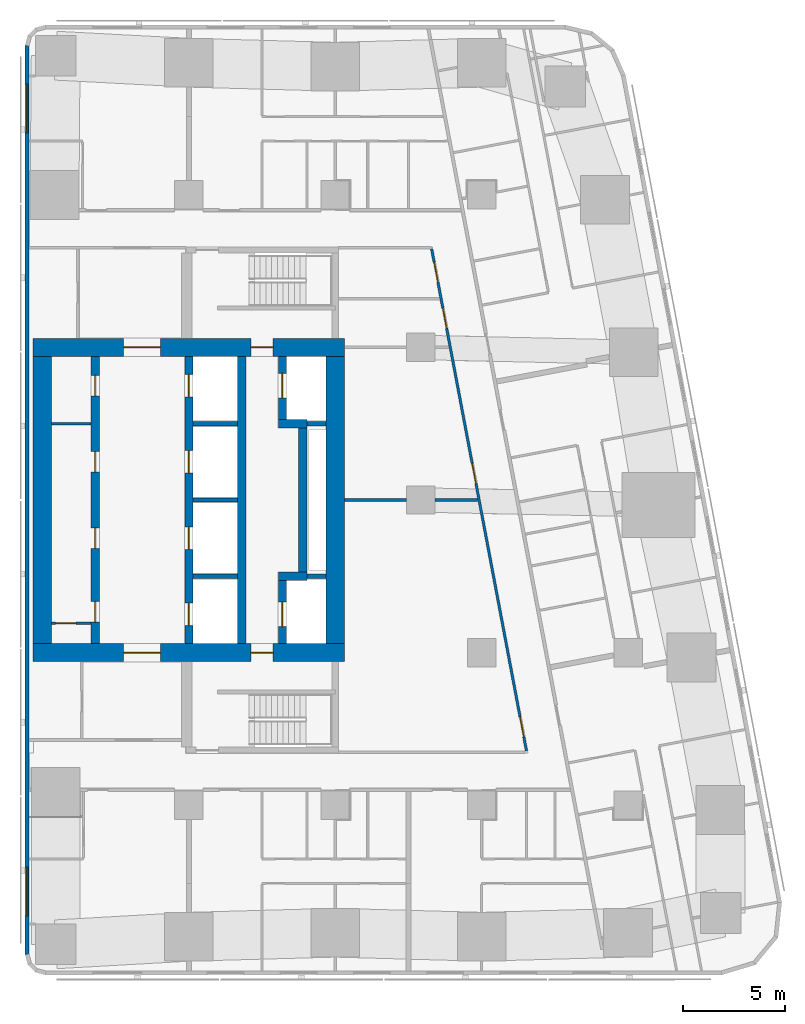
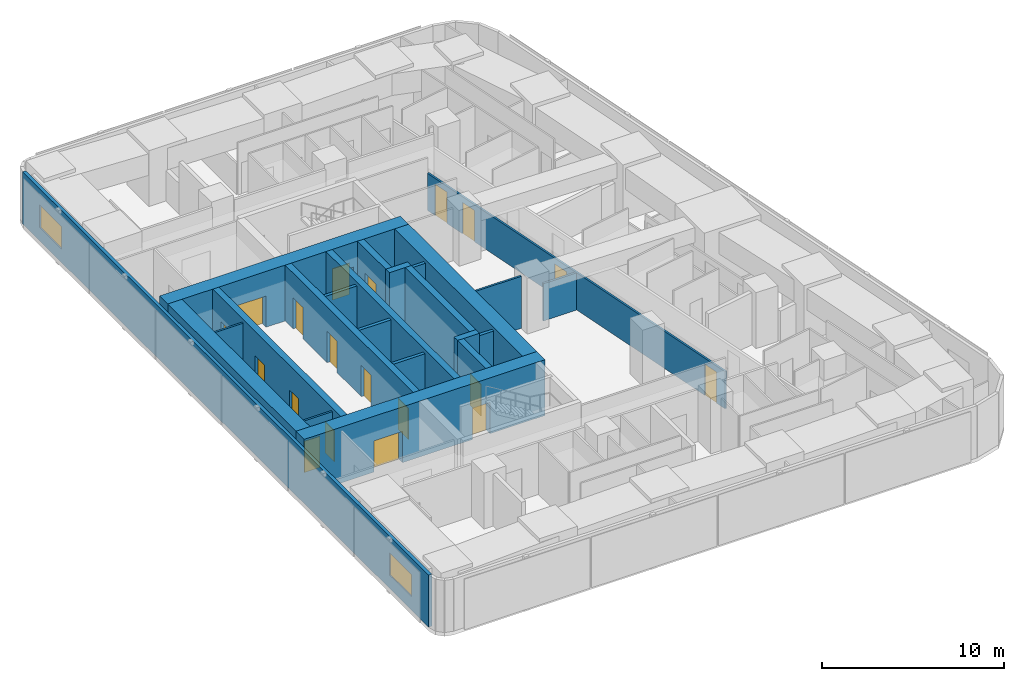
# One storey, part 4 of 10: 23 walls, 19 doors, 2 windows, 21 openings.
"""IFC4 building model written with IfcOpenShell, lengths in metres."""

from ifc_helpers import new_model, si_unit, direction, frame, frame_2d, origin, place, context, subcontext, project, spatial, rectangle, extrude, material, layer, layer_set, type_object, element, fill, save


model = new_model("IFC4")

# Units and contexts
model_context = context("Model", 3, precision=1e-05, world=origin(), true_north=direction((0.0, 1.0)))
body_context = subcontext(model_context, "Body", "Model", "MODEL_VIEW")
ifc_project = project(units=[si_unit("LENGTHUNIT", "METRE"), si_unit("AREAUNIT", "SQUARE_METRE"), si_unit("VOLUMEUNIT", "CUBIC_METRE"), si_unit("PLANEANGLEUNIT", "RADIAN"), si_unit("MASSUNIT", "GRAM", prefix="KILO")], contexts=[model_context])

# Site, building, storey
site_placement = place(None, origin())
site = spatial("IfcSite", under=ifc_project, at=site_placement, CompositionType="ELEMENT")
building_placement = place(site_placement, origin())
building = spatial("IfcBuilding", under=site, at=building_placement, Name="Sheger Commons Tower", CompositionType="ELEMENT")
storey_placement = place(building_placement, frame((0.0, 0.0, 238.699951171875)))
storey = spatial("IfcBuildingStorey", under=building, at=storey_placement, Name="L61", CompositionType="ELEMENT", Elevation=238.699951171875)

# Wall, openings, doors
ifc_material_1 = material(Name="Concrete C50/60", Category="concrete")
ifc_layer_1 = layer(ifc_material_1, 0.39990234375)
ifc_layer_set_1 = layer_set([ifc_layer_1], Name="CORE INNER WALL 400")
wall_type_1 = type_object("IfcWallType", Name="CORE INNER WALL 400", PredefinedType="SHEAR", material=ifc_layer_set_1)
wall_1_placement = place(storey_placement, frame((17.0, 15.449951171875, 0.0), z_axis=(0.0, 0.0, 1.0), x_axis=(0.0, 1.0, 0.0)))
wall_1 = element("IfcWall", 1, at=wall_1_placement, inside=storey, type_object=wall_type_1, Name="Core inner wall A L61", PredefinedType="SHEAR", context=body_context, shape_type="SweptSolid", body=[
    extrude(rectangle(XDim=14.10009765625, YDim=0.39990234375, at=frame_2d((7.050048828125, 0.0))), origin(), (0.0, 0.0, 1.0), 3.75),
])
opening_1_placement = place(wall_1_placement, frame((1.050048828125, 0.0, 0.0)))
opening_1 = element("IfcOpeningElement", 2, at=opening_1_placement, cuts=wall_1, Name="Opening D4", PredefinedType="OPENING", context=body_context, shape_type="SweptSolid", body=[
    extrude(rectangle(XDim=1.0, YDim=2.10009765625, at=frame_2d((0.5, 1.050048828125))), frame((0.0, 0.2099609375, 0.0), z_axis=(0.0, -1.0, 0.0), x_axis=(1.0, 0.0, 0.0)), (0.0, 0.0, 1.0), 0.419921875),
])
opening_2_placement = place(wall_1_placement, frame((4.675048828125, 0.0, 0.0)))
opening_2 = element("IfcOpeningElement", 3, at=opening_2_placement, cuts=wall_1, Name="Opening D4", PredefinedType="OPENING", context=body_context, shape_type="SweptSolid", body=[
    extrude(rectangle(XDim=1.0, YDim=2.10009765625, at=frame_2d((0.5, 1.050048828125))), frame((0.0, 0.2099609375, 0.0), z_axis=(0.0, -1.0, 0.0), x_axis=(1.0, 0.0, 0.0)), (0.0, 0.0, 1.0), 0.419921875),
])
opening_3_placement = place(wall_1_placement, frame((8.425048828125, 0.0, 0.0)))
opening_3 = element("IfcOpeningElement", 4, at=opening_3_placement, cuts=wall_1, Name="Opening D4", PredefinedType="OPENING", context=body_context, shape_type="SweptSolid", body=[
    extrude(rectangle(XDim=1.0, YDim=2.10009765625, at=frame_2d((0.5, 1.050048828125))), frame((0.0, 0.2099609375, 0.0), z_axis=(0.0, -1.0, 0.0), x_axis=(1.0, 0.0, 0.0)), (0.0, 0.0, 1.0), 0.419921875),
])
opening_4_placement = place(wall_1_placement, frame((12.175048828125, 0.0, 0.0)))
opening_4 = element("IfcOpeningElement", 5, at=opening_4_placement, cuts=wall_1, Name="Opening D4", PredefinedType="OPENING", context=body_context, shape_type="SweptSolid", body=[
    extrude(rectangle(XDim=1.0, YDim=2.10009765625, at=frame_2d((0.5, 1.050048828125))), frame((0.0, 0.2099609375, 0.0), z_axis=(0.0, -1.0, 0.0), x_axis=(1.0, 0.0, 0.0)), (0.0, 0.0, 1.0), 0.419921875),
])
ifc_material_2 = material(Name="Steel door set, fire rated", Category="steel")
door_type_1 = type_object("IfcDoorType", Name="SERVICE DOOR 1000x2100", OperationType="NOTDEFINED", PredefinedType="DOOR", material=ifc_material_2)
door_1_placement = place(opening_1_placement, origin())
door_1 = element("IfcDoor", 6, at=door_1_placement, inside=storey, type_object=door_type_1, Name="Maintenance store door", OperationType="SINGLE_SWING_LEFT", OverallHeight=2.10009765625, OverallWidth=1.0, PredefinedType="DOOR", context=body_context, shape_type="SweptSolid", body=[
    extrude(rectangle(XDim=1.0, YDim=2.10009765625, at=frame_2d((0.5, 1.050048828125))), frame((0.0, 0.02490234375, 0.0), z_axis=(0.0, -1.0, 0.0), x_axis=(1.0, 0.0, 0.0)), (0.0, 0.0, 1.0), 0.050048828125),
])
fill(opening_1, door_1)
door_2_placement = place(opening_2_placement, origin())
door_2 = element("IfcDoor", 7, at=door_2_placement, inside=storey, type_object=door_type_1, Name="Maintenance store door", OperationType="SINGLE_SWING_LEFT", OverallHeight=2.10009765625, OverallWidth=1.0, PredefinedType="DOOR", context=body_context, shape_type="SweptSolid", body=[
    extrude(rectangle(XDim=1.0, YDim=2.10009765625, at=frame_2d((0.5, 1.050048828125))), frame((0.0, 0.02490234375, 0.0), z_axis=(0.0, -1.0, 0.0), x_axis=(1.0, 0.0, 0.0)), (0.0, 0.0, 1.0), 0.050048828125),
])
fill(opening_2, door_2)
door_3_placement = place(opening_3_placement, origin())
door_3 = element("IfcDoor", 8, at=door_3_placement, inside=storey, type_object=door_type_1, Name="Maintenance store door", OperationType="SINGLE_SWING_RIGHT", OverallHeight=2.10009765625, OverallWidth=1.0, PredefinedType="DOOR", context=body_context, shape_type="SweptSolid", body=[
    extrude(rectangle(XDim=1.0, YDim=2.10009765625, at=frame_2d((0.5, 1.050048828125))), frame((0.0, 0.02490234375, 0.0), z_axis=(0.0, -1.0, 0.0), x_axis=(1.0, 0.0, 0.0)), (0.0, 0.0, 1.0), 0.050048828125),
])
fill(opening_3, door_3)
door_4_placement = place(opening_4_placement, origin())
door_4 = element("IfcDoor", 9, at=door_4_placement, inside=storey, type_object=door_type_1, Name="Staff WC door", OperationType="SINGLE_SWING_RIGHT", OverallHeight=2.10009765625, OverallWidth=1.0, PredefinedType="DOOR", context=body_context, shape_type="SweptSolid", body=[
    extrude(rectangle(XDim=1.0, YDim=2.10009765625, at=frame_2d((0.5, 1.050048828125))), frame((0.0, 0.02490234375, 0.0), z_axis=(0.0, -1.0, 0.0), x_axis=(1.0, 0.0, 0.0)), (0.0, 0.0, 1.0), 0.050048828125),
])
fill(opening_4, door_4)

wall_2_placement = place(storey_placement, frame((21.60009765625, 15.449951171875, 0.0), z_axis=(0.0, 0.0, 1.0), x_axis=(0.0, 1.0, 0.0)))
wall_2 = element("IfcWall", 10, at=wall_2_placement, inside=storey, type_object=wall_type_1, Name="Core inner wall L L61", PredefinedType="SHEAR", context=body_context, shape_type="SweptSolid", body=[
    extrude(rectangle(XDim=14.10009765625, YDim=0.39990234375, at=frame_2d((7.050048828125, 0.0))), origin(), (0.0, 0.0, 1.0), 3.75),
])
opening_5_placement = place(wall_2_placement, frame((0.875, 0.0, 0.0)))
opening_5 = element("IfcOpeningElement", 11, at=opening_5_placement, cuts=wall_2, Name="Opening LD", PredefinedType="OPENING", context=body_context, shape_type="SweptSolid", body=[
    extrude(rectangle(XDim=1.10009765625, YDim=2.10009765625, at=frame_2d((0.550048828125, 1.050048828125))), frame((0.0, 0.2099609375, 0.0), z_axis=(0.0, -1.0, 0.0), x_axis=(1.0, 0.0, 0.0)), (0.0, 0.0, 1.0), 0.419921875),
])
opening_6_placement = place(wall_2_placement, frame((4.625, 0.0, 0.0)))
opening_6 = element("IfcOpeningElement", 12, at=opening_6_placement, cuts=wall_2, Name="Opening LD", PredefinedType="OPENING", context=body_context, shape_type="SweptSolid", body=[
    extrude(rectangle(XDim=1.10009765625, YDim=2.10009765625, at=frame_2d((0.550048828125, 1.050048828125))), frame((0.0, 0.2099609375, 0.0), z_axis=(0.0, -1.0, 0.0), x_axis=(1.0, 0.0, 0.0)), (0.0, 0.0, 1.0), 0.419921875),
])
opening_7_placement = place(wall_2_placement, frame((8.375, 0.0, 0.0)))
opening_7 = element("IfcOpeningElement", 13, at=opening_7_placement, cuts=wall_2, Name="Opening LD", PredefinedType="OPENING", context=body_context, shape_type="SweptSolid", body=[
    extrude(rectangle(XDim=1.10009765625, YDim=2.10009765625, at=frame_2d((0.550048828125, 1.050048828125))), frame((0.0, 0.2099609375, 0.0), z_axis=(0.0, -1.0, 0.0), x_axis=(1.0, 0.0, 0.0)), (0.0, 0.0, 1.0), 0.419921875),
])
opening_8_placement = place(wall_2_placement, frame((12.125, 0.0, 0.0)))
opening_8 = element("IfcOpeningElement", 14, at=opening_8_placement, cuts=wall_2, Name="Opening LD", PredefinedType="OPENING", context=body_context, shape_type="SweptSolid", body=[
    extrude(rectangle(XDim=1.10009765625, YDim=2.10009765625, at=frame_2d((0.550048828125, 1.050048828125))), frame((0.0, 0.2099609375, 0.0), z_axis=(0.0, -1.0, 0.0), x_axis=(1.0, 0.0, 0.0)), (0.0, 0.0, 1.0), 0.419921875),
])
ifc_material_3 = material(Name="Steel door set, fire rated", Category="steel")
door_type_2 = type_object("IfcDoorType", Name="LIFT LANDING DOOR 1100x2100", OperationType="DOUBLE_DOOR_SLIDING", PredefinedType="DOOR", material=ifc_material_3)
door_5_placement = place(opening_5_placement, origin())
door_5 = element("IfcDoor", 15, at=door_5_placement, inside=storey, type_object=door_type_2, Name="Lift LB1 landing door", OperationType="DOUBLE_DOOR_SLIDING", OverallHeight=2.10009765625, OverallWidth=1.10009765625, PredefinedType="DOOR", context=body_context, shape_type="SweptSolid", body=[
    extrude(rectangle(XDim=1.10009765625, YDim=2.10009765625, at=frame_2d((0.550048828125, 1.050048828125))), frame((0.0, 0.02490234375, 0.0), z_axis=(0.0, -1.0, 0.0), x_axis=(1.0, 0.0, 0.0)), (0.0, 0.0, 1.0), 0.050048828125),
])
fill(opening_5, door_5)
door_6_placement = place(opening_6_placement, origin())
door_6 = element("IfcDoor", 16, at=door_6_placement, inside=storey, type_object=door_type_2, Name="Lift LB2 landing door", OperationType="DOUBLE_DOOR_SLIDING", OverallHeight=2.10009765625, OverallWidth=1.10009765625, PredefinedType="DOOR", context=body_context, shape_type="SweptSolid", body=[
    extrude(rectangle(XDim=1.10009765625, YDim=2.10009765625, at=frame_2d((0.550048828125, 1.050048828125))), frame((0.0, 0.02490234375, 0.0), z_axis=(0.0, -1.0, 0.0), x_axis=(1.0, 0.0, 0.0)), (0.0, 0.0, 1.0), 0.050048828125),
])
fill(opening_6, door_6)
door_7_placement = place(opening_7_placement, origin())
door_7 = element("IfcDoor", 17, at=door_7_placement, inside=storey, type_object=door_type_2, Name="Lift LB3 landing door", OperationType="DOUBLE_DOOR_SLIDING", OverallHeight=2.10009765625, OverallWidth=1.10009765625, PredefinedType="DOOR", context=body_context, shape_type="SweptSolid", body=[
    extrude(rectangle(XDim=1.10009765625, YDim=2.10009765625, at=frame_2d((0.550048828125, 1.050048828125))), frame((0.0, 0.02490234375, 0.0), z_axis=(0.0, -1.0, 0.0), x_axis=(1.0, 0.0, 0.0)), (0.0, 0.0, 1.0), 0.050048828125),
])
fill(opening_7, door_7)
door_8_placement = place(opening_8_placement, origin())
door_8 = element("IfcDoor", 18, at=door_8_placement, inside=storey, type_object=door_type_2, Name="Lift LB4 landing door", OperationType="DOUBLE_DOOR_SLIDING", OverallHeight=2.10009765625, OverallWidth=1.10009765625, PredefinedType="DOOR", context=body_context, shape_type="SweptSolid", body=[
    extrude(rectangle(XDim=1.10009765625, YDim=2.10009765625, at=frame_2d((0.550048828125, 1.050048828125))), frame((0.0, 0.02490234375, 0.0), z_axis=(0.0, -1.0, 0.0), x_axis=(1.0, 0.0, 0.0)), (0.0, 0.0, 1.0), 0.050048828125),
])
fill(opening_8, door_8)

# Wall
wall_3_placement = place(storey_placement, frame((24.199951171875, 15.449951171875, 0.0), z_axis=(0.0, 0.0, 1.0), x_axis=(0.0, 1.0, 0.0)))
element("IfcWall", 19, at=wall_3_placement, inside=storey, type_object=wall_type_1, Name="Core inner wall B L61", PredefinedType="SHEAR", context=body_context, shape_type="SweptSolid", body=[
    extrude(rectangle(XDim=14.10009765625, YDim=0.39990234375, at=frame_2d((7.050048828125, 0.0))), origin(), (0.0, 0.0, 1.0), 3.75),
])

# Wall, opening, door
wall_4_placement = place(storey_placement, frame((26.199951171875, 15.449951171875, 0.0), z_axis=(0.0, 0.0, 1.0), x_axis=(0.0, 1.0, 0.0)))
wall_4 = element("IfcWall", 20, at=wall_4_placement, inside=storey, type_object=wall_type_1, Name="Core inner wall F L61", PredefinedType="SHEAR", context=body_context, shape_type="SweptSolid", body=[
    extrude(rectangle(XDim=3.10009765625, YDim=0.39990234375, at=frame_2d((1.550048828125, 0.0))), origin(), (0.0, 0.0, 1.0), 3.75),
])
opening_9_placement = place(wall_4_placement, frame((0.824951171875, 0.0, 0.0)))
opening_9 = element("IfcOpeningElement", 21, at=opening_9_placement, cuts=wall_4, Name="Opening LD2", PredefinedType="OPENING", context=body_context, shape_type="SweptSolid", body=[
    extrude(rectangle(XDim=1.199951171875, YDim=2.10009765625, at=frame_2d((0.60009765625, 1.050048828125))), frame((0.0, 0.2099609375, 0.0), z_axis=(0.0, -1.0, 0.0), x_axis=(1.0, 0.0, 0.0)), (0.0, 0.0, 1.0), 0.419921875),
])
ifc_material_4 = material(Name="Steel door set, fire rated", Category="steel")
door_type_3 = type_object("IfcDoorType", Name="FIREFIGHTING LIFT LANDING DOOR 1200x2100", OperationType="DOUBLE_DOOR_SLIDING", PredefinedType="DOOR", material=ifc_material_4)
door_9_placement = place(opening_9_placement, origin())
door_9 = element("IfcDoor", 22, at=door_9_placement, inside=storey, type_object=door_type_3, Name="Lift FL1 landing door", OperationType="DOUBLE_DOOR_SLIDING", OverallHeight=2.10009765625, OverallWidth=1.199951171875, PredefinedType="DOOR", context=body_context, shape_type="SweptSolid", body=[
    extrude(rectangle(XDim=1.199951171875, YDim=2.10009765625, at=frame_2d((0.60009765625, 1.050048828125))), frame((0.0, 0.02490234375, 0.0), z_axis=(0.0, -1.0, 0.0), x_axis=(1.0, 0.0, 0.0)), (0.0, 0.0, 1.0), 0.050048828125),
])
fill(opening_9, door_9)

# Walls
wall_5_placement = place(storey_placement, frame((26.0, 18.75, 0.0), z_axis=(0.0, 0.0, 1.0), x_axis=(1.0, 0.0, 0.0)))
element("IfcWall", 23, at=wall_5_placement, inside=storey, type_object=wall_type_1, Name="Core inner wall F south return L61", PredefinedType="SHEAR", context=body_context, shape_type="SweptSolid", body=[
    extrude(rectangle(XDim=1.39990234375, YDim=0.39990234375, at=frame_2d((0.699951171875, 0.0))), origin(), (0.0, 0.0, 1.0), 3.75),
])
wall_6_placement = place(storey_placement, frame((27.199951171875, 18.949951171875, 0.0), z_axis=(0.0, 0.0, 1.0), x_axis=(0.0, 1.0, 0.0)))
element("IfcWall", 24, at=wall_6_placement, inside=storey, type_object=wall_type_1, Name="Core inner wall F middle L61", PredefinedType="SHEAR", context=body_context, shape_type="SweptSolid", body=[
    extrude(rectangle(XDim=7.10009765625, YDim=0.39990234375, at=frame_2d((3.550048828125, 0.0))), origin(), (0.0, 0.0, 1.0), 3.75),
])
wall_7_placement = place(storey_placement, frame((26.0, 26.25, 0.0), z_axis=(0.0, 0.0, 1.0), x_axis=(1.0, 0.0, 0.0)))
element("IfcWall", 25, at=wall_7_placement, inside=storey, type_object=wall_type_1, Name="Core inner wall F north return L61", PredefinedType="SHEAR", context=body_context, shape_type="SweptSolid", body=[
    extrude(rectangle(XDim=1.39990234375, YDim=0.39990234375, at=frame_2d((0.699951171875, 0.0))), origin(), (0.0, 0.0, 1.0), 3.75),
])

# Wall, opening, door
wall_8_placement = place(storey_placement, frame((26.199951171875, 26.449951171875, 0.0), z_axis=(0.0, 0.0, 1.0), x_axis=(0.0, 1.0, 0.0)))
wall_8 = element("IfcWall", 26, at=wall_8_placement, inside=storey, type_object=wall_type_1, Name="Core inner wall F north L61", PredefinedType="SHEAR", context=body_context, shape_type="SweptSolid", body=[
    extrude(rectangle(XDim=3.10009765625, YDim=0.39990234375, at=frame_2d((1.550048828125, 0.0))), origin(), (0.0, 0.0, 1.0), 3.75),
])
opening_10_placement = place(wall_8_placement, frame((1.074951171875, 0.0, 0.0)))
opening_10 = element("IfcOpeningElement", 27, at=opening_10_placement, cuts=wall_8, Name="Opening LD2", PredefinedType="OPENING", context=body_context, shape_type="SweptSolid", body=[
    extrude(rectangle(XDim=1.199951171875, YDim=2.10009765625, at=frame_2d((0.60009765625, 1.050048828125))), frame((0.0, 0.2099609375, 0.0), z_axis=(0.0, -1.0, 0.0), x_axis=(1.0, 0.0, 0.0)), (0.0, 0.0, 1.0), 0.419921875),
])
door_10_placement = place(opening_10_placement, origin())
door_10 = element("IfcDoor", 28, at=door_10_placement, inside=storey, type_object=door_type_3, Name="Lift FL2 landing door", OperationType="DOUBLE_DOOR_SLIDING", OverallHeight=2.10009765625, OverallWidth=1.199951171875, PredefinedType="DOOR", context=body_context, shape_type="SweptSolid", body=[
    extrude(rectangle(XDim=1.199951171875, YDim=2.10009765625, at=frame_2d((0.60009765625, 1.050048828125))), frame((0.0, 0.02490234375, 0.0), z_axis=(0.0, -1.0, 0.0), x_axis=(1.0, 0.0, 0.0)), (0.0, 0.0, 1.0), 0.050048828125),
])
fill(opening_10, door_10)

# Wall, openings, doors
ifc_material_5 = material(Name="Concrete C50/60", Category="concrete")
ifc_layer_2 = layer(ifc_material_5, 0.89990234375)
ifc_layer_set_2 = layer_set([ifc_layer_2], Name="CORE WALL 900")
wall_type_2 = type_object("IfcWallType", Name="CORE WALL 900", PredefinedType="SHEAR", material=ifc_layer_set_2)
wall_9_placement = place(storey_placement, frame((13.949951171875, 15.0, 0.0), z_axis=(0.0, 0.0, 1.0), x_axis=(1.0, 0.0, 0.0)))
wall_9 = element("IfcWall", 29, at=wall_9_placement, inside=storey, type_object=wall_type_2, Name="Core wall south L61", PredefinedType="SHEAR", context=body_context, shape_type="SweptSolid", body=[
    extrude(rectangle(XDim=15.300048828125, YDim=0.89990234375, at=frame_2d((7.64990234375, 0.0))), origin(), (0.0, 0.0, 1.0), 3.75),
])
opening_11_placement = place(wall_9_placement, frame((4.449951171875, 0.0, 0.0)))
opening_11 = element("IfcOpeningElement", 30, at=opening_11_placement, cuts=wall_9, Name="Opening D6", PredefinedType="OPENING", context=body_context, shape_type="SweptSolid", body=[
    extrude(rectangle(XDim=1.800048828125, YDim=2.10009765625, at=frame_2d((0.89990234375, 1.050048828125))), frame((0.0, 0.4599609375, 0.0), z_axis=(0.0, -1.0, 0.0), x_axis=(1.0, 0.0, 0.0)), (0.0, 0.0, 1.0), 0.919921875),
])
opening_12_placement = place(wall_9_placement, frame((10.699951171875, 0.0, 0.0)))
opening_12 = element("IfcOpeningElement", 31, at=opening_12_placement, cuts=wall_9, Name="Opening D5", PredefinedType="OPENING", context=body_context, shape_type="SweptSolid", body=[
    extrude(rectangle(XDim=1.10009765625, YDim=2.10009765625, at=frame_2d((0.550048828125, 1.050048828125))), frame((0.0, 0.4599609375, 0.0), z_axis=(0.0, -1.0, 0.0), x_axis=(1.0, 0.0, 0.0)), (0.0, 0.0, 1.0), 0.919921875),
])
ifc_material_6 = material(Name="Steel door set, fire rated", Category="steel")
door_type_4 = type_object("IfcDoorType", Name="LOBBY DOUBLE DOOR 1800x2100", OperationType="DOUBLE_DOOR_SINGLE_SWING", PredefinedType="DOOR", material=ifc_material_6)
door_11_placement = place(opening_11_placement, origin())
door_11 = element("IfcDoor", 32, at=door_11_placement, inside=storey, type_object=door_type_4, Name="Lift lobby door", OperationType="DOUBLE_DOOR_SINGLE_SWING", OverallHeight=2.10009765625, OverallWidth=1.800048828125, PredefinedType="DOOR", context=body_context, shape_type="SweptSolid", body=[
    extrude(rectangle(XDim=1.800048828125, YDim=2.10009765625, at=frame_2d((0.89990234375, 1.050048828125))), frame((0.0, 0.02490234375, 0.0), z_axis=(0.0, -1.0, 0.0), x_axis=(1.0, 0.0, 0.0)), (0.0, 0.0, 1.0), 0.050048828125),
])
fill(opening_11, door_11)
ifc_material_7 = material(Name="Steel door set, fire rated", Category="steel")
door_type_5 = type_object("IfcDoorType", Name="STAIR DOOR 1100x2100", OperationType="NOTDEFINED", PredefinedType="DOOR", material=ifc_material_7)
door_12_placement = place(opening_12_placement, origin())
door_12 = element("IfcDoor", 33, at=door_12_placement, inside=storey, type_object=door_type_5, Name="Fire-fighting lobby door", OperationType="SINGLE_SWING_LEFT", OverallHeight=2.10009765625, OverallWidth=1.10009765625, PredefinedType="DOOR", context=body_context, shape_type="SweptSolid", body=[
    extrude(rectangle(XDim=1.10009765625, YDim=2.10009765625, at=frame_2d((0.550048828125, 1.050048828125))), frame((0.0, 0.02490234375, 0.0), z_axis=(0.0, -1.0, 0.0), x_axis=(1.0, 0.0, 0.0)), (0.0, 0.0, 1.0), 0.050048828125),
])
fill(opening_12, door_12)

wall_10_placement = place(storey_placement, frame((13.949951171875, 30.0, 0.0), z_axis=(0.0, 0.0, 1.0), x_axis=(1.0, 0.0, 0.0)))
wall_10 = element("IfcWall", 34, at=wall_10_placement, inside=storey, type_object=wall_type_2, Name="Core wall north L61", PredefinedType="SHEAR", context=body_context, shape_type="SweptSolid", body=[
    extrude(rectangle(XDim=15.300048828125, YDim=0.89990234375, at=frame_2d((7.64990234375, 0.0))), origin(), (0.0, 0.0, 1.0), 3.75),
])
opening_13_placement = place(wall_10_placement, frame((4.449951171875, 0.0, 0.0)))
opening_13 = element("IfcOpeningElement", 35, at=opening_13_placement, cuts=wall_10, Name="Opening D6", PredefinedType="OPENING", context=body_context, shape_type="SweptSolid", body=[
    extrude(rectangle(XDim=1.800048828125, YDim=2.10009765625, at=frame_2d((0.89990234375, 1.050048828125))), frame((0.0, 0.4599609375, 0.0), z_axis=(0.0, -1.0, 0.0), x_axis=(1.0, 0.0, 0.0)), (0.0, 0.0, 1.0), 0.919921875),
])
opening_14_placement = place(wall_10_placement, frame((10.699951171875, 0.0, 0.0)))
opening_14 = element("IfcOpeningElement", 36, at=opening_14_placement, cuts=wall_10, Name="Opening D5", PredefinedType="OPENING", context=body_context, shape_type="SweptSolid", body=[
    extrude(rectangle(XDim=1.10009765625, YDim=2.10009765625, at=frame_2d((0.550048828125, 1.050048828125))), frame((0.0, 0.4599609375, 0.0), z_axis=(0.0, -1.0, 0.0), x_axis=(1.0, 0.0, 0.0)), (0.0, 0.0, 1.0), 0.919921875),
])
door_13_placement = place(opening_13_placement, origin())
door_13 = element("IfcDoor", 37, at=door_13_placement, inside=storey, type_object=door_type_4, Name="Lift lobby door", OperationType="DOUBLE_DOOR_SINGLE_SWING", OverallHeight=2.10009765625, OverallWidth=1.800048828125, PredefinedType="DOOR", context=body_context, shape_type="SweptSolid", body=[
    extrude(rectangle(XDim=1.800048828125, YDim=2.10009765625, at=frame_2d((0.89990234375, 1.050048828125))), frame((0.0, 0.02490234375, 0.0), z_axis=(0.0, -1.0, 0.0), x_axis=(1.0, 0.0, 0.0)), (0.0, 0.0, 1.0), 0.050048828125),
])
fill(opening_13, door_13)
door_14_placement = place(opening_14_placement, origin())
door_14 = element("IfcDoor", 38, at=door_14_placement, inside=storey, type_object=door_type_5, Name="Fire-fighting lobby door", OperationType="SINGLE_SWING_LEFT", OverallHeight=2.10009765625, OverallWidth=1.10009765625, PredefinedType="DOOR", context=body_context, shape_type="SweptSolid", body=[
    extrude(rectangle(XDim=1.10009765625, YDim=2.10009765625, at=frame_2d((0.550048828125, 1.050048828125))), frame((0.0, 0.02490234375, 0.0), z_axis=(0.0, -1.0, 0.0), x_axis=(1.0, 0.0, 0.0)), (0.0, 0.0, 1.0), 0.050048828125),
])
fill(opening_14, door_14)

# Walls
for number, where, z_axis, x_axis, name in (
    (39, (14.39990234375, 15.449951171875, 0.0), (0.0, 0.0, 1.0), (0.0, 1.0, 0.0), "Core wall west L61"),
    (40, (28.800048828125, 15.449951171875, 0.0), (0.0, 0.0, 1.0), (0.0, 1.0, 0.0), "Core wall east L61"),
):
    element("IfcWall", number, at=place(storey_placement, frame(where, z_axis=z_axis, x_axis=x_axis)), inside=storey, type_object=wall_type_2, Name=name, PredefinedType="SHEAR", context=body_context, shape_type="SweptSolid", body=[
        extrude(rectangle(XDim=14.10009765625, YDim=0.89990234375, at=frame_2d((7.050048828125, 0.0))), origin(), (0.0, 0.0, 1.0), 3.75),
    ])

# Wall, openings, windows
ifc_material_8 = material(Name="Rendered concrete block masonry, dark grey", Category="masonry")
ifc_layer_3 = layer(ifc_material_8, 0.199951171875)
ifc_layer_set_3 = layer_set([ifc_layer_3], Name="FACADE WALL 200")
wall_type_3 = type_object("IfcWallType", Name="FACADE WALL 200", PredefinedType="SOLIDWALL", material=ifc_layer_set_3)
wall_11_placement = place(storey_placement, frame((13.64990234375, 44.8369140625, 0.0), z_axis=(0.0, 0.0, 1.0), x_axis=(0.0, -1.0, 0.0)))
wall_11 = element("IfcWall", 41, at=wall_11_placement, inside=storey, type_object=wall_type_3, Name="Facade wall L61", PredefinedType="SOLIDWALL", context=body_context, shape_type="SweptSolid", body=[
    extrude(rectangle(XDim=44.673828125, YDim=0.199951171875, at=frame_2d((22.3369140625, 0.0))), origin(), (0.0, 0.0, 1.0), 3.5),
])
opening_15_placement = place(wall_11_placement, frame((1.888916015625, 0.0, 0.89990234375)))
opening_15 = element("IfcOpeningElement", 42, at=opening_15_placement, cuts=wall_11, Name="Opening W1", PredefinedType="OPENING", context=body_context, shape_type="SweptSolid", body=[
    extrude(rectangle(XDim=2.39990234375, YDim=1.5, at=frame_2d((1.199951171875, 0.75))), frame((0.0, 0.10986328125, 0.0), z_axis=(0.0, -1.0, 0.0), x_axis=(1.0, 0.0, 0.0)), (0.0, 0.0, 1.0), 0.219970703125),
])
opening_16_placement = place(wall_11_placement, frame((40.385009765625, 0.0, 0.89990234375)))
opening_16 = element("IfcOpeningElement", 43, at=opening_16_placement, cuts=wall_11, Name="Opening W1", PredefinedType="OPENING", context=body_context, shape_type="SweptSolid", body=[
    extrude(rectangle(XDim=2.39990234375, YDim=1.5, at=frame_2d((1.199951171875, 0.75))), frame((0.0, 0.10986328125, 0.0), z_axis=(0.0, -1.0, 0.0), x_axis=(1.0, 0.0, 0.0)), (0.0, 0.0, 1.0), 0.219970703125),
])
ifc_material_9 = material(Name="Black aluminium frame, dark tinted double glazing", Category="aluminium")
window_type = type_object("IfcWindowType", Name="WINDOW W1 2400x1500", PartitioningType="SINGLE_PANEL", PredefinedType="WINDOW", material=ifc_material_9)
window_1_placement = place(opening_15_placement, origin())
window_1 = element("IfcWindow", 44, at=window_1_placement, inside=storey, type_object=window_type, Name="Window W1 2400X1500", OverallHeight=1.5, OverallWidth=2.39990234375, PartitioningType="SINGLE_PANEL", PredefinedType="WINDOW", context=body_context, shape_type="SweptSolid", body=[
    extrude(rectangle(XDim=2.39990234375, YDim=1.5, at=frame_2d((1.199951171875, 0.75))), frame((0.0, 0.030029296875, 0.0), z_axis=(0.0, -1.0, 0.0), x_axis=(1.0, 0.0, 0.0)), (0.0, 0.0, 1.0), 0.06005859375),
])
fill(opening_15, window_1)
window_2_placement = place(opening_16_placement, origin())
window_2 = element("IfcWindow", 45, at=window_2_placement, inside=storey, type_object=window_type, Name="Window W1 2400X1500", OverallHeight=1.5, OverallWidth=2.39990234375, PartitioningType="SINGLE_PANEL", PredefinedType="WINDOW", context=body_context, shape_type="SweptSolid", body=[
    extrude(rectangle(XDim=2.39990234375, YDim=1.5, at=frame_2d((1.199951171875, 0.75))), frame((0.0, 0.030029296875, 0.0), z_axis=(0.0, -1.0, 0.0), x_axis=(1.0, 0.0, 0.0)), (0.0, 0.0, 1.0), 0.06005859375),
])
fill(opening_16, window_2)

# Wall, openings, doors
ifc_material_10 = material(Name="Gypsum board on steel studs, two layers each side, fire rated", Category="steel")
ifc_layer_4 = layer(ifc_material_10, 0.125)
ifc_layer_set_4 = layer_set([ifc_layer_4], Name="SERVICE WALL 125")
wall_type_4 = type_object("IfcWallType", Name="SERVICE WALL 125", PredefinedType="PARTITIONING", material=ifc_layer_set_4)
wall_12_placement = place(storey_placement, frame((38.201904296875, 10.1630859375, 0.0), z_axis=(0.0, 0.0, 1.0), x_axis=(-0.185610321132, 0.982623431783, 0.0)))
wall_12 = element("IfcWall", 46, at=wall_12_placement, inside=storey, type_object=wall_type_4, Name="Service room wall L61", PredefinedType="PARTITIONING", context=body_context, shape_type="SweptSolid", body=[
    extrude(rectangle(XDim=25.111083984375, YDim=0.125, at=frame_2d((12.5556640625, 0.0))), origin(), (0.0, 0.0, 1.0), 2.5),
])
opening_17_placement = place(wall_12_placement, frame((0.7080078125, 0.0, 0.0)))
opening_17 = element("IfcOpeningElement", 47, at=opening_17_placement, cuts=wall_12, Name="Opening D4", PredefinedType="OPENING", context=body_context, shape_type="SweptSolid", body=[
    extrude(rectangle(XDim=1.0, YDim=2.10009765625, at=frame_2d((0.5, 1.050048828125))), frame((0.0, 0.072509765625, 0.0), z_axis=(0.0, -1.0, 0.0), x_axis=(1.0, 0.0, 0.0)), (0.0, 0.0, 1.0), 0.14501953125),
])
opening_18_placement = place(wall_12_placement, frame((13.3779296875, 0.0, 0.0)))
opening_18 = element("IfcOpeningElement", 48, at=opening_18_placement, cuts=wall_12, Name="Opening D4", PredefinedType="OPENING", context=body_context, shape_type="SweptSolid", body=[
    extrude(rectangle(XDim=1.0, YDim=2.10009765625, at=frame_2d((0.5, 1.050048828125))), frame((0.0, 0.072509765625, 0.0), z_axis=(0.0, -1.0, 0.0), x_axis=(1.0, 0.0, 0.0)), (0.0, 0.0, 1.0), 0.14501953125),
])
opening_19_placement = place(wall_12_placement, frame((21.14990234375, 0.0, 0.0)))
opening_19 = element("IfcOpeningElement", 49, at=opening_19_placement, cuts=wall_12, Name="Opening D4", PredefinedType="OPENING", context=body_context, shape_type="SweptSolid", body=[
    extrude(rectangle(XDim=1.0, YDim=2.10009765625, at=frame_2d((0.5, 1.050048828125))), frame((0.0, 0.072509765625, 0.0), z_axis=(0.0, -1.0, 0.0), x_axis=(1.0, 0.0, 0.0)), (0.0, 0.0, 1.0), 0.14501953125),
])
opening_20_placement = place(wall_12_placement, frame((23.452880859375, 0.0, 0.0)))
opening_20 = element("IfcOpeningElement", 50, at=opening_20_placement, cuts=wall_12, Name="Opening D4", PredefinedType="OPENING", context=body_context, shape_type="SweptSolid", body=[
    extrude(rectangle(XDim=1.0, YDim=2.10009765625, at=frame_2d((0.5, 1.050048828125))), frame((0.0, 0.072509765625, 0.0), z_axis=(0.0, -1.0, 0.0), x_axis=(1.0, 0.0, 0.0)), (0.0, 0.0, 1.0), 0.14501953125),
])
door_15_placement = place(opening_17_placement, origin())
door_15 = element("IfcDoor", 51, at=door_15_placement, inside=storey, type_object=door_type_1, Name="Children's play room door", OperationType="SINGLE_SWING_LEFT", OverallHeight=2.10009765625, OverallWidth=1.0, PredefinedType="DOOR", context=body_context, shape_type="SweptSolid", body=[
    extrude(rectangle(XDim=1.0, YDim=2.10009765625, at=frame_2d((0.5, 1.050048828125))), frame((0.0, 0.02490234375, 0.0), z_axis=(0.0, -1.0, 0.0), x_axis=(1.0, 0.0, 0.0)), (0.0, 0.0, 1.0), 0.050048828125),
])
fill(opening_17, door_15)
door_16_placement = place(opening_18_placement, origin())
door_16 = element("IfcDoor", 52, at=door_16_placement, inside=storey, type_object=door_type_1, Name="Residents' meeting room door", OperationType="SINGLE_SWING_LEFT", OverallHeight=2.10009765625, OverallWidth=1.0, PredefinedType="DOOR", context=body_context, shape_type="SweptSolid", body=[
    extrude(rectangle(XDim=1.0, YDim=2.10009765625, at=frame_2d((0.5, 1.050048828125))), frame((0.0, 0.02490234375, 0.0), z_axis=(0.0, -1.0, 0.0), x_axis=(1.0, 0.0, 0.0)), (0.0, 0.0, 1.0), 0.050048828125),
])
fill(opening_18, door_16)
door_17_placement = place(opening_19_placement, origin())
door_17 = element("IfcDoor", 53, at=door_17_placement, inside=storey, type_object=door_type_1, Name="Residents' store door", OperationType="SINGLE_SWING_RIGHT", OverallHeight=2.10009765625, OverallWidth=1.0, PredefinedType="DOOR", context=body_context, shape_type="SweptSolid", body=[
    extrude(rectangle(XDim=1.0, YDim=2.10009765625, at=frame_2d((0.5, 1.050048828125))), frame((0.0, 0.02490234375, 0.0), z_axis=(0.0, -1.0, 0.0), x_axis=(1.0, 0.0, 0.0)), (0.0, 0.0, 1.0), 0.050048828125),
])
fill(opening_19, door_17)
door_18_placement = place(opening_20_placement, origin())
door_18 = element("IfcDoor", 54, at=door_18_placement, inside=storey, type_object=door_type_1, Name="Caretaker's store door", OperationType="SINGLE_SWING_RIGHT", OverallHeight=2.10009765625, OverallWidth=1.0, PredefinedType="DOOR", context=body_context, shape_type="SweptSolid", body=[
    extrude(rectangle(XDim=1.0, YDim=2.10009765625, at=frame_2d((0.5, 1.050048828125))), frame((0.0, 0.02490234375, 0.0), z_axis=(0.0, -1.0, 0.0), x_axis=(1.0, 0.0, 0.0)), (0.0, 0.0, 1.0), 0.050048828125),
])
fill(opening_20, door_18)

# Walls
wall_13_placement = place(storey_placement, frame((29.25, 22.5, 0.0), z_axis=(0.0, 0.0, 1.0), x_axis=(1.0, 0.0, 0.0)))
element("IfcWall", 55, at=wall_13_placement, inside=storey, type_object=wall_type_4, Name="Service room wall L61", PredefinedType="PARTITIONING", context=body_context, shape_type="SweptSolid", body=[
    extrude(rectangle(XDim=3.049072265625, YDim=0.125, at=frame_2d((1.5244140625, 0.0))), origin(), (0.0, 0.0, 1.0), 3.5),
])
wall_14_placement = place(storey_placement, frame((33.700927734375, 22.5, 0.0), z_axis=(0.0, 0.0, 1.0), x_axis=(1.0, 0.0, 0.0)))
element("IfcWall", 56, at=wall_14_placement, inside=storey, type_object=wall_type_4, Name="Service room wall L61", PredefinedType="PARTITIONING", context=body_context, shape_type="SweptSolid", body=[
    extrude(rectangle(XDim=2.094970703125, YDim=0.125, at=frame_2d((1.04736328125, 0.0))), origin(), (0.0, 0.0, 1.0), 2.5),
])

# Wall, opening, door
wall_15_placement = place(storey_placement, frame((14.85009765625, 16.449951171875, 0.0), z_axis=(0.0, 0.0, 1.0), x_axis=(1.0, 0.0, 0.0)))
wall_15 = element("IfcWall", 57, at=wall_15_placement, inside=storey, type_object=wall_type_4, Name="Service room wall L61", PredefinedType="PARTITIONING", context=body_context, shape_type="SweptSolid", body=[
    extrude(rectangle(XDim=1.949951171875, YDim=0.125, at=frame_2d((0.97509765625, 0.0))), origin(), (0.0, 0.0, 1.0), 3.5),
])
opening_21_placement = place(wall_15_placement, frame((0.199951171875, 0.0, 0.0)))
opening_21 = element("IfcOpeningElement", 58, at=opening_21_placement, cuts=wall_15, Name="Opening D4", PredefinedType="OPENING", context=body_context, shape_type="SweptSolid", body=[
    extrude(rectangle(XDim=1.0, YDim=2.10009765625, at=frame_2d((0.5, 1.050048828125))), frame((0.0, 0.072509765625, 0.0), z_axis=(0.0, -1.0, 0.0), x_axis=(1.0, 0.0, 0.0)), (0.0, 0.0, 1.0), 0.14501953125),
])
door_19_placement = place(opening_21_placement, origin())
door_19 = element("IfcDoor", 59, at=door_19_placement, inside=storey, type_object=door_type_1, Name="Electrical riser door", OperationType="SINGLE_SWING_RIGHT", OverallHeight=2.10009765625, OverallWidth=1.0, PredefinedType="DOOR", context=body_context, shape_type="SweptSolid", body=[
    extrude(rectangle(XDim=1.0, YDim=2.10009765625, at=frame_2d((0.5, 1.050048828125))), frame((0.0, 0.02490234375, 0.0), z_axis=(0.0, -1.0, 0.0), x_axis=(1.0, 0.0, 0.0)), (0.0, 0.0, 1.0), 0.050048828125),
])
fill(opening_21, door_19)

# Walls
wall_16_placement = place(storey_placement, frame((14.85009765625, 26.25, 0.0), z_axis=(0.0, 0.0, 1.0), x_axis=(1.0, 0.0, 0.0)))
element("IfcWall", 60, at=wall_16_placement, inside=storey, type_object=wall_type_4, Name="Service room wall L61", PredefinedType="PARTITIONING", context=body_context, shape_type="SweptSolid", body=[
    extrude(rectangle(XDim=1.949951171875, YDim=0.125, at=frame_2d((0.97509765625, 0.0))), origin(), (0.0, 0.0, 1.0), 3.5),
])
ifc_material_11 = material(Name="Hollow concrete block masonry", Category="masonry")
ifc_layer_5 = layer(ifc_material_11, 0.199951171875)
ifc_layer_set_5 = layer_set([ifc_layer_5], Name="SHAFT WALL 200")
wall_type_5 = type_object("IfcWallType", Name="SHAFT WALL 200", PredefinedType="SOLIDWALL", material=ifc_layer_set_5)
for number, where, z_axis, x_axis, name in (
    (61, (21.800048828125, 18.75, 0.0), (0.0, 0.0, 1.0), (1.0, 0.0, 0.0), "Lift shaft wall L61"),
    (62, (21.800048828125, 22.5, 0.0), (0.0, 0.0, 1.0), (1.0, 0.0, 0.0), "Lift shaft wall L61"),
    (63, (21.800048828125, 26.25, 0.0), (0.0, 0.0, 1.0), (1.0, 0.0, 0.0), "Lift shaft wall L61"),
):
    element("IfcWall", number, at=place(storey_placement, frame(where, z_axis=z_axis, x_axis=x_axis)), inside=storey, type_object=wall_type_5, Name=name, PredefinedType="SOLIDWALL", context=body_context, shape_type="SweptSolid", body=[
        extrude(rectangle(XDim=2.199951171875, YDim=0.199951171875, at=frame_2d((1.10009765625, 0.0))), origin(), (0.0, 0.0, 1.0), 3.5),
    ])
for number, where, z_axis, x_axis, name in (
    (64, (27.39990234375, 18.75, 0.0), (0.0, 0.0, 1.0), (1.0, 0.0, 0.0), "Lift shaft wall L61"),
    (65, (27.39990234375, 26.25, 0.0), (0.0, 0.0, 1.0), (1.0, 0.0, 0.0), "Lift shaft wall L61"),
):
    element("IfcWall", number, at=place(storey_placement, frame(where, z_axis=z_axis, x_axis=x_axis)), inside=storey, type_object=wall_type_5, Name=name, PredefinedType="SOLIDWALL", context=body_context, shape_type="SweptSolid", body=[
        extrude(rectangle(XDim=0.9501953125, YDim=0.199951171875, at=frame_2d((0.47509765625, 0.0))), origin(), (0.0, 0.0, 1.0), 3.5),
    ])

save(model, "model.ifc")
